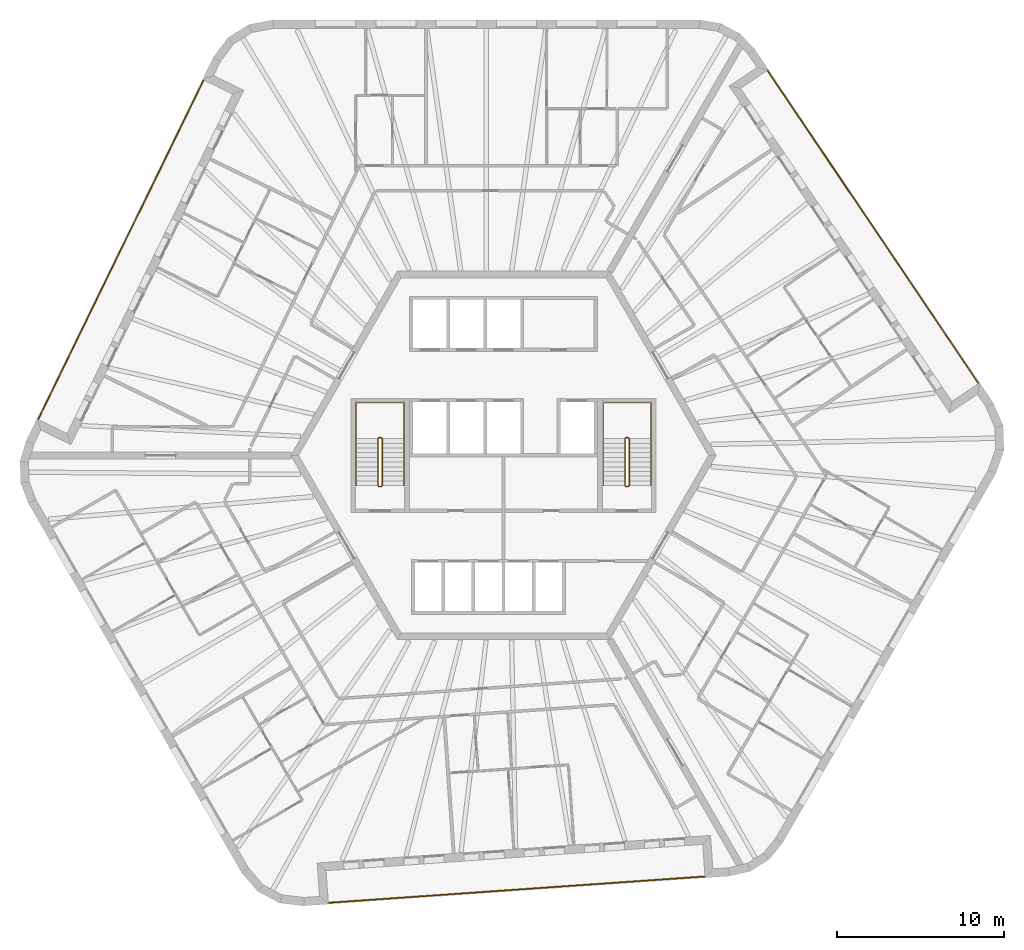
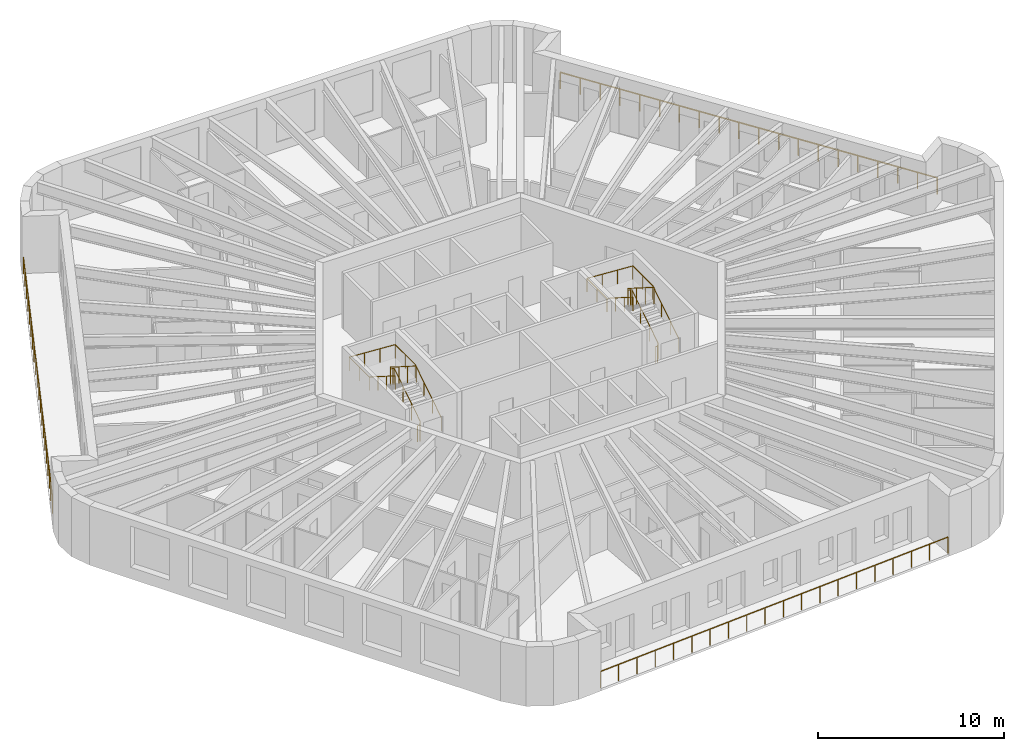
# One storey, part 12 of 12: 7 railings.
"""IFC4 building model written with IfcOpenShell, lengths in metres."""

from ifc_helpers import new_model, si_unit, direction, frame, origin, origin_2d, place, context, subcontext, project, spatial, circle, extrude, material, type_object, element, save


model = new_model("IFC4")

# Units and contexts
model_context = context("Model", 3, precision=1e-05, world=origin(), true_north=direction((0.0, 1.0)))
body_context = subcontext(model_context, "Body", "Model", "MODEL_VIEW")
ifc_project = project(units=[si_unit("LENGTHUNIT", "METRE"), si_unit("AREAUNIT", "SQUARE_METRE"), si_unit("VOLUMEUNIT", "CUBIC_METRE"), si_unit("PLANEANGLEUNIT", "RADIAN"), si_unit("MASSUNIT", "GRAM", prefix="KILO")], contexts=[model_context])

# Site, building, storey
site_placement = place(None, origin())
site = spatial("IfcSite", under=ifc_project, at=site_placement, CompositionType="ELEMENT")
building_placement = place(site_placement, origin())
building = spatial("IfcBuilding", under=site, at=building_placement, Name="Tarnside Tower", CompositionType="ELEMENT")
storey_placement = place(building_placement, frame((0.0, 0.0, 260.10009765625)))
storey = spatial("IfcBuildingStorey", under=building, at=storey_placement, Name="L62", CompositionType="ELEMENT", Elevation=260.10009765625)

# Railings
ifc_material_1 = material(Name="Toughened glass", Category="glass")
railing_type_1 = type_object("IfcRailingType", Name="Glass guard 1100", PredefinedType="GUARDRAIL", material=ifc_material_1)
railing_1_placement = place(storey_placement, frame((-17.906005859375, 22.415283203125, 0.0)))
element("IfcRailing", 1, at=railing_1_placement, inside=storey, type_object=railing_type_1, Name="Loggia guard L62 F2", PredefinedType="GUARDRAIL", context=body_context, shape_type="SweptSolid", body=[
    extrude(circle(Radius=0.030029296875, at=origin_2d()), frame((0.0, 0.0, 1.070068359375), z_axis=(-0.438372639335, -0.898793318335, 0.0), x_axis=(0.898793318335, -0.438372639335, 0.0)), (0.0, 0.0, 1.0), 22.544921875),
    extrude(circle(Radius=0.02490234375, at=origin_2d()), origin(), (0.0, 0.0, 1.0), 1.0400390625),
    extrude(circle(Radius=0.02490234375, at=origin_2d()), frame((-0.520263671875, -1.06640625, 0.0)), (0.0, 0.0, 1.0), 1.0400390625),
    extrude(circle(Radius=0.02490234375, at=origin_2d()), frame((-1.040283203125, -2.133056640625, 0.0)), (0.0, 0.0, 1.0), 1.0400390625),
    extrude(circle(Radius=0.02490234375, at=origin_2d()), frame((-1.560546875, -3.199462890625, 0.0)), (0.0, 0.0, 1.0), 1.0400390625),
    extrude(circle(Radius=0.02490234375, at=origin_2d()), frame((-2.08056640625, -4.265869140625, 0.0)), (0.0, 0.0, 1.0), 1.0400390625),
    extrude(circle(Radius=0.02490234375, at=origin_2d()), frame((-2.600830078125, -5.33251953125, 0.0)), (0.0, 0.0, 1.0), 1.0400390625),
    extrude(circle(Radius=0.02490234375, at=origin_2d()), frame((-3.120849609375, -6.39892578125, 0.0)), (0.0, 0.0, 1.0), 1.0400390625),
    extrude(circle(Radius=0.02490234375, at=origin_2d()), frame((-3.64111328125, -7.46533203125, 0.0)), (0.0, 0.0, 1.0), 1.0400390625),
    extrude(circle(Radius=0.02490234375, at=origin_2d()), frame((-4.161376953125, -8.531982421875, 0.0)), (0.0, 0.0, 1.0), 1.0400390625),
    extrude(circle(Radius=0.02490234375, at=origin_2d()), frame((-4.681396484375, -9.598388671875, 0.0)), (0.0, 0.0, 1.0), 1.0400390625),
    extrude(circle(Radius=0.02490234375, at=origin_2d()), frame((-5.20166015625, -10.664794921875, 0.0)), (0.0, 0.0, 1.0), 1.0400390625),
    extrude(circle(Radius=0.02490234375, at=origin_2d()), frame((-5.7216796875, -11.731201171875, 0.0)), (0.0, 0.0, 1.0), 1.0400390625),
    extrude(circle(Radius=0.02490234375, at=origin_2d()), frame((-6.241943359375, -12.7978515625, 0.0)), (0.0, 0.0, 1.0), 1.0400390625),
    extrude(circle(Radius=0.02490234375, at=origin_2d()), frame((-6.76220703125, -13.8642578125, 0.0)), (0.0, 0.0, 1.0), 1.0400390625),
    extrude(circle(Radius=0.02490234375, at=origin_2d()), frame((-7.2822265625, -14.9306640625, 0.0)), (0.0, 0.0, 1.0), 1.0400390625),
    extrude(circle(Radius=0.02490234375, at=origin_2d()), frame((-7.802490234375, -15.997314453125, 0.0)), (0.0, 0.0, 1.0), 1.0400390625),
    extrude(circle(Radius=0.02490234375, at=origin_2d()), frame((-8.322509765625, -17.063720703125, 0.0)), (0.0, 0.0, 1.0), 1.0400390625),
    extrude(circle(Radius=0.02490234375, at=origin_2d()), frame((-8.8427734375, -18.130126953125, 0.0)), (0.0, 0.0, 1.0), 1.0400390625),
    extrude(circle(Radius=0.02490234375, at=origin_2d()), frame((-9.36279296875, -19.19677734375, 0.0)), (0.0, 0.0, 1.0), 1.0400390625),
    extrude(circle(Radius=0.02490234375, at=origin_2d()), frame((-9.883056640625, -20.26318359375, 0.0)), (0.0, 0.0, 1.0), 1.0400390625),
])
railing_2_placement = place(storey_placement, frame((-10.458984375, -26.714599609375, 0.0)))
element("IfcRailing", 2, at=railing_2_placement, inside=storey, type_object=railing_type_1, Name="Loggia guard L62 F4", PredefinedType="GUARDRAIL", context=body_context, shape_type="SweptSolid", body=[
    extrude(circle(Radius=0.030029296875, at=origin_2d()), frame((0.0, 0.0, 1.070068359375), z_axis=(0.997564440639, 0.069750890837, 0.0), x_axis=(-0.069750890837, 0.997564440639, 0.0)), (0.0, 0.0, 1.0), 22.544677734375),
    extrude(circle(Radius=0.02490234375, at=origin_2d()), origin(), (0.0, 0.0, 1.0), 1.0400390625),
    extrude(circle(Radius=0.02490234375, at=origin_2d()), frame((1.18359375, 0.082763671875, 0.0)), (0.0, 0.0, 1.0), 1.0400390625),
    extrude(circle(Radius=0.02490234375, at=origin_2d()), frame((2.367431640625, 0.16552734375, 0.0)), (0.0, 0.0, 1.0), 1.0400390625),
    extrude(circle(Radius=0.02490234375, at=origin_2d()), frame((3.551025390625, 0.248291015625, 0.0)), (0.0, 0.0, 1.0), 1.0400390625),
    extrude(circle(Radius=0.02490234375, at=origin_2d()), frame((4.734619140625, 0.3310546875, 0.0)), (0.0, 0.0, 1.0), 1.0400390625),
    extrude(circle(Radius=0.02490234375, at=origin_2d()), frame((5.91845703125, 0.413818359375, 0.0)), (0.0, 0.0, 1.0), 1.0400390625),
    extrude(circle(Radius=0.02490234375, at=origin_2d()), frame((7.10205078125, 0.49658203125, 0.0)), (0.0, 0.0, 1.0), 1.0400390625),
    extrude(circle(Radius=0.02490234375, at=origin_2d()), frame((8.28564453125, 0.579345703125, 0.0)), (0.0, 0.0, 1.0), 1.0400390625),
    extrude(circle(Radius=0.02490234375, at=origin_2d()), frame((9.469482421875, 0.662109375, 0.0)), (0.0, 0.0, 1.0), 1.0400390625),
    extrude(circle(Radius=0.02490234375, at=origin_2d()), frame((10.653076171875, 0.744873046875, 0.0)), (0.0, 0.0, 1.0), 1.0400390625),
    extrude(circle(Radius=0.02490234375, at=origin_2d()), frame((11.836669921875, 0.82763671875, 0.0)), (0.0, 0.0, 1.0), 1.0400390625),
    extrude(circle(Radius=0.02490234375, at=origin_2d()), frame((13.020263671875, 0.910400390625, 0.0)), (0.0, 0.0, 1.0), 1.0400390625),
    extrude(circle(Radius=0.02490234375, at=origin_2d()), frame((14.2041015625, 0.9931640625, 0.0)), (0.0, 0.0, 1.0), 1.0400390625),
    extrude(circle(Radius=0.02490234375, at=origin_2d()), frame((15.3876953125, 1.075927734375, 0.0)), (0.0, 0.0, 1.0), 1.0400390625),
    extrude(circle(Radius=0.02490234375, at=origin_2d()), frame((16.5712890625, 1.15869140625, 0.0)), (0.0, 0.0, 1.0), 1.0400390625),
    extrude(circle(Radius=0.02490234375, at=origin_2d()), frame((17.755126953125, 1.241455078125, 0.0)), (0.0, 0.0, 1.0), 1.0400390625),
    extrude(circle(Radius=0.02490234375, at=origin_2d()), frame((18.938720703125, 1.32421875, 0.0)), (0.0, 0.0, 1.0), 1.0400390625),
    extrude(circle(Radius=0.02490234375, at=origin_2d()), frame((20.122314453125, 1.406982421875, 0.0)), (0.0, 0.0, 1.0), 1.0400390625),
    extrude(circle(Radius=0.02490234375, at=origin_2d()), frame((21.30615234375, 1.48974609375, 0.0)), (0.0, 0.0, 1.0), 1.0400390625),
    extrude(circle(Radius=0.02490234375, at=origin_2d()), frame((22.48974609375, 1.572509765625, 0.0)), (0.0, 0.0, 1.0), 1.0400390625),
])
railing_3_placement = place(storey_placement, frame((28.365234375, 4.299560546875, 0.0)))
element("IfcRailing", 3, at=railing_3_placement, inside=storey, type_object=railing_type_1, Name="Loggia guard L62 F6", PredefinedType="GUARDRAIL", context=body_context, shape_type="SweptSolid", body=[
    extrude(circle(Radius=0.030029296875, at=origin_2d()), frame((0.0, 0.0, 1.070068359375), z_axis=(-0.559195329741, 0.82903593601, 0.0), x_axis=(-0.82903593601, -0.559195329741, 0.0)), (0.0, 0.0, 1.0), 22.544677734375),
    extrude(circle(Radius=0.02490234375, at=origin_2d()), origin(), (0.0, 0.0, 1.0), 1.0400390625),
    extrude(circle(Radius=0.02490234375, at=origin_2d()), frame((-0.66357421875, 0.983642578125, 0.0)), (0.0, 0.0, 1.0), 1.0400390625),
    extrude(circle(Radius=0.02490234375, at=origin_2d()), frame((-1.3271484375, 1.967529296875, 0.0)), (0.0, 0.0, 1.0), 1.0400390625),
    extrude(circle(Radius=0.02490234375, at=origin_2d()), frame((-1.990478515625, 2.951171875, 0.0)), (0.0, 0.0, 1.0), 1.0400390625),
    extrude(circle(Radius=0.02490234375, at=origin_2d()), frame((-2.654052734375, 3.934814453125, 0.0)), (0.0, 0.0, 1.0), 1.0400390625),
    extrude(circle(Radius=0.02490234375, at=origin_2d()), frame((-3.317626953125, 4.91845703125, 0.0)), (0.0, 0.0, 1.0), 1.0400390625),
    extrude(circle(Radius=0.02490234375, at=origin_2d()), frame((-3.981201171875, 5.90234375, 0.0)), (0.0, 0.0, 1.0), 1.0400390625),
    extrude(circle(Radius=0.02490234375, at=origin_2d()), frame((-4.644775390625, 6.885986328125, 0.0)), (0.0, 0.0, 1.0), 1.0400390625),
    extrude(circle(Radius=0.02490234375, at=origin_2d()), frame((-5.30810546875, 7.86962890625, 0.0)), (0.0, 0.0, 1.0), 1.0400390625),
    extrude(circle(Radius=0.02490234375, at=origin_2d()), frame((-5.9716796875, 8.853271484375, 0.0)), (0.0, 0.0, 1.0), 1.0400390625),
    extrude(circle(Radius=0.02490234375, at=origin_2d()), frame((-6.63525390625, 9.837158203125, 0.0)), (0.0, 0.0, 1.0), 1.0400390625),
    extrude(circle(Radius=0.02490234375, at=origin_2d()), frame((-7.298828125, 10.82080078125, 0.0)), (0.0, 0.0, 1.0), 1.0400390625),
    extrude(circle(Radius=0.02490234375, at=origin_2d()), frame((-7.962158203125, 11.804443359375, 0.0)), (0.0, 0.0, 1.0), 1.0400390625),
    extrude(circle(Radius=0.02490234375, at=origin_2d()), frame((-8.625732421875, 12.7880859375, 0.0)), (0.0, 0.0, 1.0), 1.0400390625),
    extrude(circle(Radius=0.02490234375, at=origin_2d()), frame((-9.289306640625, 13.77197265625, 0.0)), (0.0, 0.0, 1.0), 1.0400390625),
    extrude(circle(Radius=0.02490234375, at=origin_2d()), frame((-9.952880859375, 14.755615234375, 0.0)), (0.0, 0.0, 1.0), 1.0400390625),
    extrude(circle(Radius=0.02490234375, at=origin_2d()), frame((-10.616455078125, 15.7392578125, 0.0)), (0.0, 0.0, 1.0), 1.0400390625),
    extrude(circle(Radius=0.02490234375, at=origin_2d()), frame((-11.27978515625, 16.722900390625, 0.0)), (0.0, 0.0, 1.0), 1.0400390625),
    extrude(circle(Radius=0.02490234375, at=origin_2d()), frame((-11.943359375, 17.706787109375, 0.0)), (0.0, 0.0, 1.0), 1.0400390625),
    extrude(circle(Radius=0.02490234375, at=origin_2d()), frame((-12.60693359375, 18.6904296875, 0.0)), (0.0, 0.0, 1.0), 1.0400390625),
])
ifc_material_2 = material(Name="Stainless steel", Category="steel")
railing_type_2 = type_object("IfcRailingType", Name="Stair guard 1100", PredefinedType="GUARDRAIL", material=ifc_material_2)
railing_4_placement = place(storey_placement, frame((7.300048828125, -1.85009765625, 0.0)))
element("IfcRailing", 4, at=railing_4_placement, inside=storey, type_object=railing_type_2, Name="L62 ST1 stair guard 1", PredefinedType="GUARDRAIL", context=body_context, shape_type="SweptSolid", body=[
    extrude(circle(Radius=0.02392578125, at=origin_2d()), frame((0.0, 0.0, 1.076171875), z_axis=(1.0, 0.0, 0.0), x_axis=(0.0, 1.0, 0.0)), (0.0, 0.0, 1.0), 0.14990234375),
    extrude(circle(Radius=0.02392578125, at=origin_2d()), frame((0.14990234375, 0.0, 1.076171875), z_axis=(0.262233686654, 0.262233686654, 0.928691007369), x_axis=(-0.707106781187, 0.707106781187, 0.0)), (0.0, 0.0, 1.0), 0.19091796875),
    extrude(circle(Radius=0.02392578125, at=origin_2d()), frame((0.199951171875, 0.050048828125, 1.25341796875), z_axis=(0.0, 0.844908973607, 0.534910110503), x_axis=(-1.0, 0.0, 0.0)), (0.0, 0.0, 1.0), 3.31396484375),
    extrude(circle(Radius=0.02392578125, at=origin_2d()), frame((0.199951171875, 2.85009765625, 3.02587890625), z_axis=(-0.707106781187, 0.707106781187, 0.0), x_axis=(-0.707106781187, -0.707106781187, 0.0)), (0.0, 0.0, 1.0), 0.07080078125),
    extrude(circle(Radius=0.02392578125, at=origin_2d()), frame((0.14990234375, 2.900146484375, 3.02587890625), z_axis=(-1.0, 0.0, 0.0), x_axis=(0.0, -1.0, 0.0)), (0.0, 0.0, 1.0), 0.14990234375),
    extrude(circle(Radius=0.02392578125, at=origin_2d()), frame((0.0, 2.900146484375, 3.02587890625), z_axis=(-0.262233686654, -0.262233686654, 0.928691007369), x_axis=(0.707106781187, -0.707106781187, 0.0)), (0.0, 0.0, 1.0), 0.19091796875),
    extrude(circle(Radius=0.02392578125, at=origin_2d()), frame((-0.050048828125, 2.85009765625, 3.203125), z_axis=(0.0, -0.844908973607, 0.534910110503), x_axis=(1.0, 0.0, 0.0)), (0.0, 0.0, 1.0), 3.31396484375),
    extrude(circle(Radius=0.02099609375, at=origin_2d()), origin(), (0.0, 0.0, 1.0), 1.052001953125),
    extrude(circle(Radius=0.02099609375, at=origin_2d()), frame((0.14990234375, 0.0, 0.0)), (0.0, 0.0, 1.0), 1.052001953125),
    extrude(circle(Radius=0.02099609375, at=origin_2d()), frame((0.199951171875, 0.050048828125, 0.17724609375)), (0.0, 0.0, 1.0), 1.052001953125),
    extrude(circle(Radius=0.02099609375, at=origin_2d()), frame((0.199951171875, 0.9833984375, 0.76806640625)), (0.0, 0.0, 1.0), 1.052001953125),
    extrude(circle(Radius=0.02099609375, at=origin_2d()), frame((0.199951171875, 1.916748046875, 1.359130859375)), (0.0, 0.0, 1.0), 1.052001953125),
    extrude(circle(Radius=0.02099609375, at=origin_2d()), frame((0.199951171875, 2.85009765625, 1.949951171875)), (0.0, 0.0, 1.0), 1.052001953125),
    extrude(circle(Radius=0.02099609375, at=origin_2d()), frame((0.14990234375, 2.900146484375, 1.949951171875)), (0.0, 0.0, 1.0), 1.052001953125),
    extrude(circle(Radius=0.02099609375, at=origin_2d()), frame((0.0, 2.900146484375, 1.949951171875)), (0.0, 0.0, 1.0), 1.052001953125),
    extrude(circle(Radius=0.02099609375, at=origin_2d()), frame((-0.050048828125, 2.85009765625, 2.127197265625)), (0.0, 0.0, 1.0), 1.052001953125),
    extrude(circle(Radius=0.02099609375, at=origin_2d()), frame((-0.050048828125, 1.916748046875, 2.718017578125)), (0.0, 0.0, 1.0), 1.052001953125),
    extrude(circle(Radius=0.02099609375, at=origin_2d()), frame((-0.050048828125, 0.9833984375, 3.30908203125)), (0.0, 0.0, 1.0), 1.052001953125),
    extrude(circle(Radius=0.02099609375, at=origin_2d()), frame((-0.050048828125, 0.050048828125, 3.89990234375)), (0.0, 0.0, 1.0), 1.052001953125),
])
railing_5_placement = place(storey_placement, frame((-7.449951171875, -1.85009765625, 0.0)))
element("IfcRailing", 5, at=railing_5_placement, inside=storey, type_object=railing_type_2, Name="L62 ST2 stair guard 1", PredefinedType="GUARDRAIL", context=body_context, shape_type="SweptSolid", body=[
    extrude(circle(Radius=0.02392578125, at=origin_2d()), frame((0.0, 0.0, 1.076171875), z_axis=(1.0, 0.0, 0.0), x_axis=(0.0, 1.0, 0.0)), (0.0, 0.0, 1.0), 0.14990234375),
    extrude(circle(Radius=0.02392578125, at=origin_2d()), frame((0.14990234375, 0.0, 1.076171875), z_axis=(0.262233686654, 0.262233686654, 0.928691007369), x_axis=(-0.707106781187, 0.707106781187, 0.0)), (0.0, 0.0, 1.0), 0.19091796875),
    extrude(circle(Radius=0.02392578125, at=origin_2d()), frame((0.199951171875, 0.050048828125, 1.25341796875), z_axis=(0.0, 0.844908973607, 0.534910110503), x_axis=(-1.0, 0.0, 0.0)), (0.0, 0.0, 1.0), 3.31396484375),
    extrude(circle(Radius=0.02392578125, at=origin_2d()), frame((0.199951171875, 2.85009765625, 3.02587890625), z_axis=(-0.707106781187, 0.707106781187, 0.0), x_axis=(-0.707106781187, -0.707106781187, 0.0)), (0.0, 0.0, 1.0), 0.07080078125),
    extrude(circle(Radius=0.02392578125, at=origin_2d()), frame((0.14990234375, 2.900146484375, 3.02587890625), z_axis=(-1.0, 0.0, 0.0), x_axis=(0.0, -1.0, 0.0)), (0.0, 0.0, 1.0), 0.14990234375),
    extrude(circle(Radius=0.02392578125, at=origin_2d()), frame((0.0, 2.900146484375, 3.02587890625), z_axis=(-0.262233686654, -0.262233686654, 0.928691007369), x_axis=(0.707106781187, -0.707106781187, 0.0)), (0.0, 0.0, 1.0), 0.19091796875),
    extrude(circle(Radius=0.02392578125, at=origin_2d()), frame((-0.050048828125, 2.85009765625, 3.203125), z_axis=(0.0, -0.844908973607, 0.534910110503), x_axis=(1.0, 0.0, 0.0)), (0.0, 0.0, 1.0), 3.31396484375),
    extrude(circle(Radius=0.02099609375, at=origin_2d()), origin(), (0.0, 0.0, 1.0), 1.052001953125),
    extrude(circle(Radius=0.02099609375, at=origin_2d()), frame((0.14990234375, 0.0, 0.0)), (0.0, 0.0, 1.0), 1.052001953125),
    extrude(circle(Radius=0.02099609375, at=origin_2d()), frame((0.199951171875, 0.050048828125, 0.17724609375)), (0.0, 0.0, 1.0), 1.052001953125),
    extrude(circle(Radius=0.02099609375, at=origin_2d()), frame((0.199951171875, 0.9833984375, 0.76806640625)), (0.0, 0.0, 1.0), 1.052001953125),
    extrude(circle(Radius=0.02099609375, at=origin_2d()), frame((0.199951171875, 1.916748046875, 1.359130859375)), (0.0, 0.0, 1.0), 1.052001953125),
    extrude(circle(Radius=0.02099609375, at=origin_2d()), frame((0.199951171875, 2.85009765625, 1.949951171875)), (0.0, 0.0, 1.0), 1.052001953125),
    extrude(circle(Radius=0.02099609375, at=origin_2d()), frame((0.14990234375, 2.900146484375, 1.949951171875)), (0.0, 0.0, 1.0), 1.052001953125),
    extrude(circle(Radius=0.02099609375, at=origin_2d()), frame((0.0, 2.900146484375, 1.949951171875)), (0.0, 0.0, 1.0), 1.052001953125),
    extrude(circle(Radius=0.02099609375, at=origin_2d()), frame((-0.050048828125, 2.85009765625, 2.127197265625)), (0.0, 0.0, 1.0), 1.052001953125),
    extrude(circle(Radius=0.02099609375, at=origin_2d()), frame((-0.050048828125, 1.916748046875, 2.718017578125)), (0.0, 0.0, 1.0), 1.052001953125),
    extrude(circle(Radius=0.02099609375, at=origin_2d()), frame((-0.050048828125, 0.9833984375, 3.30908203125)), (0.0, 0.0, 1.0), 1.052001953125),
    extrude(circle(Radius=0.02099609375, at=origin_2d()), frame((-0.050048828125, 0.050048828125, 3.89990234375)), (0.0, 0.0, 1.0), 1.052001953125),
])
railing_type_3 = type_object("IfcRailingType", Name="Stair handrail 900", PredefinedType="HANDRAIL", material=ifc_material_2)
railing_6_placement = place(storey_placement, frame((8.800048828125, -1.800048828125, 0.17724609375)))
element("IfcRailing", 6, at=railing_6_placement, inside=storey, type_object=railing_type_3, Name="L62 ST1 stair handrail 1", PredefinedType="HANDRAIL", context=body_context, shape_type="SweptSolid", body=[
    extrude(circle(Radius=0.02392578125, at=origin_2d()), frame((0.0, 0.0, 0.8857421875), z_axis=(0.0, 0.844908973607, 0.534910110503), x_axis=(-1.0, 0.0, 0.0)), (0.0, 0.0, 1.0), 3.31396484375),
    extrude(circle(Radius=0.02392578125, at=origin_2d()), frame((0.0, 2.800048828125, 2.65869140625), z_axis=(0.0, 1.0, 0.0), x_axis=(-1.0, 0.0, 0.0)), (0.0, 0.0, 1.0), 2.14990234375),
    extrude(circle(Radius=0.02392578125, at=origin_2d()), frame((0.0, 4.949951171875, 2.65869140625), z_axis=(-0.998071825391, 0.0, 0.06206956872), x_axis=(0.0, -1.0, 0.0)), (0.0, 0.0, 1.0), 2.855712890625),
    extrude(circle(Radius=0.02392578125, at=origin_2d()), frame((-2.85009765625, 4.949951171875, 2.8359375), z_axis=(0.0, -1.0, 0.0), x_axis=(1.0, 0.0, 0.0)), (0.0, 0.0, 1.0), 2.14990234375),
    extrude(circle(Radius=0.02392578125, at=origin_2d()), frame((-2.85009765625, 2.800048828125, 2.8359375), z_axis=(0.0, -0.844908973607, 0.534910110503), x_axis=(1.0, 0.0, 0.0)), (0.0, 0.0, 1.0), 3.31396484375),
    extrude(circle(Radius=0.02099609375, at=origin_2d()), origin(), (0.0, 0.0, 1.0), 0.86181640625),
    extrude(circle(Radius=0.02099609375, at=origin_2d()), frame((0.0, 0.933349609375, 0.5908203125)), (0.0, 0.0, 1.0), 0.86181640625),
    extrude(circle(Radius=0.02099609375, at=origin_2d()), frame((0.0, 1.86669921875, 1.181884765625)), (0.0, 0.0, 1.0), 0.86181640625),
    extrude(circle(Radius=0.02099609375, at=origin_2d()), frame((0.0, 2.800048828125, 1.772705078125)), (0.0, 0.0, 1.0), 0.86181640625),
    extrude(circle(Radius=0.02099609375, at=origin_2d()), frame((0.0, 3.875, 1.772705078125)), (0.0, 0.0, 1.0), 0.86181640625),
    extrude(circle(Radius=0.02099609375, at=origin_2d()), frame((0.0, 4.949951171875, 1.772705078125)), (0.0, 0.0, 1.0), 0.86181640625),
    extrude(circle(Radius=0.02099609375, at=origin_2d()), frame((-0.949951171875, 4.949951171875, 1.831787109375)), (0.0, 0.0, 1.0), 0.86181640625),
    extrude(circle(Radius=0.02099609375, at=origin_2d()), frame((-1.900146484375, 4.949951171875, 1.890869140625)), (0.0, 0.0, 1.0), 0.86181640625),
    extrude(circle(Radius=0.02099609375, at=origin_2d()), frame((-2.85009765625, 4.949951171875, 1.949951171875)), (0.0, 0.0, 1.0), 0.86181640625),
    extrude(circle(Radius=0.02099609375, at=origin_2d()), frame((-2.85009765625, 3.875, 1.949951171875)), (0.0, 0.0, 1.0), 0.86181640625),
    extrude(circle(Radius=0.02099609375, at=origin_2d()), frame((-2.85009765625, 2.800048828125, 1.949951171875)), (0.0, 0.0, 1.0), 0.86181640625),
    extrude(circle(Radius=0.02099609375, at=origin_2d()), frame((-2.85009765625, 1.86669921875, 2.540771484375)), (0.0, 0.0, 1.0), 0.86181640625),
    extrude(circle(Radius=0.02099609375, at=origin_2d()), frame((-2.85009765625, 0.933349609375, 3.1318359375)), (0.0, 0.0, 1.0), 0.86181640625),
    extrude(circle(Radius=0.02099609375, at=origin_2d()), frame((-2.85009765625, 0.0, 3.72265625)), (0.0, 0.0, 1.0), 0.86181640625),
])
railing_7_placement = place(storey_placement, frame((-5.949951171875, -1.800048828125, 0.17724609375)))
element("IfcRailing", 7, at=railing_7_placement, inside=storey, type_object=railing_type_3, Name="L62 ST2 stair handrail 1", PredefinedType="HANDRAIL", context=body_context, shape_type="SweptSolid", body=[
    extrude(circle(Radius=0.02392578125, at=origin_2d()), frame((0.0, 0.0, 0.8857421875), z_axis=(0.0, 0.844908973607, 0.534910110503), x_axis=(-1.0, 0.0, 0.0)), (0.0, 0.0, 1.0), 3.31396484375),
    extrude(circle(Radius=0.02392578125, at=origin_2d()), frame((0.0, 2.800048828125, 2.65869140625), z_axis=(0.0, 1.0, 0.0), x_axis=(-1.0, 0.0, 0.0)), (0.0, 0.0, 1.0), 2.14990234375),
    extrude(circle(Radius=0.02392578125, at=origin_2d()), frame((0.0, 4.949951171875, 2.65869140625), z_axis=(-0.998071825391, 0.0, 0.06206956872), x_axis=(0.0, -1.0, 0.0)), (0.0, 0.0, 1.0), 2.855712890625),
    extrude(circle(Radius=0.02392578125, at=origin_2d()), frame((-2.85009765625, 4.949951171875, 2.8359375), z_axis=(0.0, -1.0, 0.0), x_axis=(1.0, 0.0, 0.0)), (0.0, 0.0, 1.0), 2.14990234375),
    extrude(circle(Radius=0.02392578125, at=origin_2d()), frame((-2.85009765625, 2.800048828125, 2.8359375), z_axis=(0.0, -0.844908973607, 0.534910110503), x_axis=(1.0, 0.0, 0.0)), (0.0, 0.0, 1.0), 3.31396484375),
    extrude(circle(Radius=0.02099609375, at=origin_2d()), origin(), (0.0, 0.0, 1.0), 0.86181640625),
    extrude(circle(Radius=0.02099609375, at=origin_2d()), frame((0.0, 0.933349609375, 0.5908203125)), (0.0, 0.0, 1.0), 0.86181640625),
    extrude(circle(Radius=0.02099609375, at=origin_2d()), frame((0.0, 1.86669921875, 1.181884765625)), (0.0, 0.0, 1.0), 0.86181640625),
    extrude(circle(Radius=0.02099609375, at=origin_2d()), frame((0.0, 2.800048828125, 1.772705078125)), (0.0, 0.0, 1.0), 0.86181640625),
    extrude(circle(Radius=0.02099609375, at=origin_2d()), frame((0.0, 3.875, 1.772705078125)), (0.0, 0.0, 1.0), 0.86181640625),
    extrude(circle(Radius=0.02099609375, at=origin_2d()), frame((0.0, 4.949951171875, 1.772705078125)), (0.0, 0.0, 1.0), 0.86181640625),
    extrude(circle(Radius=0.02099609375, at=origin_2d()), frame((-0.949951171875, 4.949951171875, 1.831787109375)), (0.0, 0.0, 1.0), 0.86181640625),
    extrude(circle(Radius=0.02099609375, at=origin_2d()), frame((-1.900146484375, 4.949951171875, 1.890869140625)), (0.0, 0.0, 1.0), 0.86181640625),
    extrude(circle(Radius=0.02099609375, at=origin_2d()), frame((-2.85009765625, 4.949951171875, 1.949951171875)), (0.0, 0.0, 1.0), 0.86181640625),
    extrude(circle(Radius=0.02099609375, at=origin_2d()), frame((-2.85009765625, 3.875, 1.949951171875)), (0.0, 0.0, 1.0), 0.86181640625),
    extrude(circle(Radius=0.02099609375, at=origin_2d()), frame((-2.85009765625, 2.800048828125, 1.949951171875)), (0.0, 0.0, 1.0), 0.86181640625),
    extrude(circle(Radius=0.02099609375, at=origin_2d()), frame((-2.85009765625, 1.86669921875, 2.540771484375)), (0.0, 0.0, 1.0), 0.86181640625),
    extrude(circle(Radius=0.02099609375, at=origin_2d()), frame((-2.85009765625, 0.933349609375, 3.1318359375)), (0.0, 0.0, 1.0), 0.86181640625),
    extrude(circle(Radius=0.02099609375, at=origin_2d()), frame((-2.85009765625, 0.0, 3.72265625)), (0.0, 0.0, 1.0), 0.86181640625),
])

save(model, "model.ifc")
